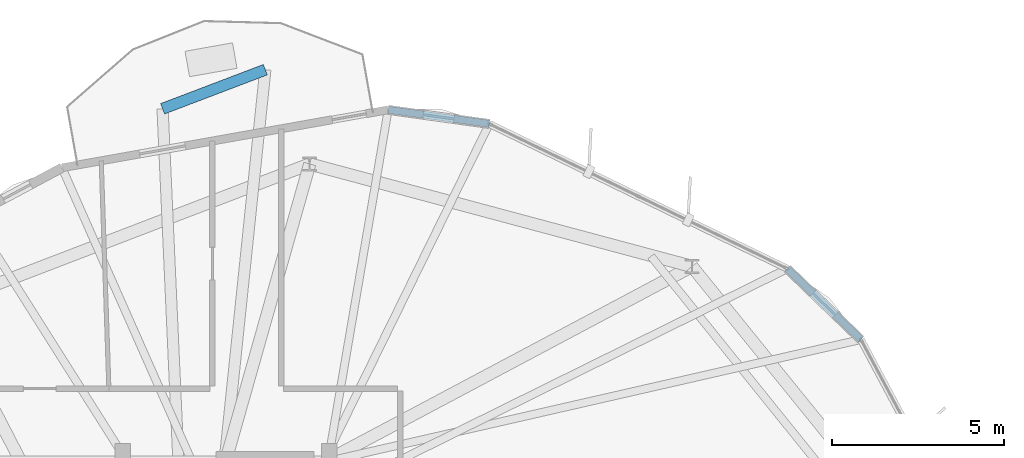
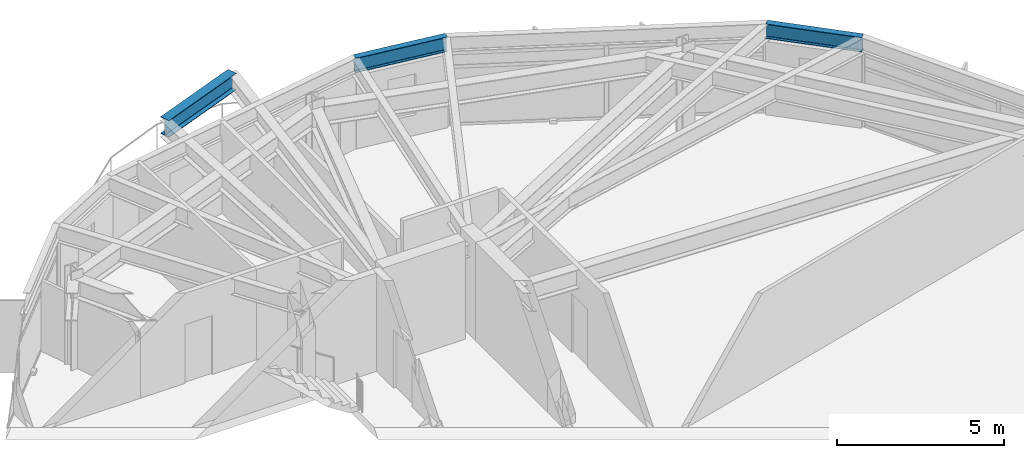
# One storey, part 20 of 28: 3 beams.
"""IFC4 building model written with IfcOpenShell, lengths in metres."""

from ifc_helpers import new_model, si_unit, direction, frame, origin, origin_2d, place, context, subcontext, project, spatial, i_section, extrude, material, material_profile, profile_set, type_object, element, save


model = new_model("IFC4")

# Units and contexts
model_context = context("Model", 3, precision=1e-05, world=origin(), true_north=direction((0.0, 1.0)))
body_context = subcontext(model_context, "Body", "Model", "MODEL_VIEW")
ifc_project = project(units=[si_unit("LENGTHUNIT", "METRE"), si_unit("AREAUNIT", "SQUARE_METRE"), si_unit("VOLUMEUNIT", "CUBIC_METRE"), si_unit("PLANEANGLEUNIT", "RADIAN"), si_unit("MASSUNIT", "GRAM", prefix="KILO")], contexts=[model_context])

# Site, building, storey
site_placement = place(None, origin())
site = spatial("IfcSite", under=ifc_project, at=site_placement, CompositionType="ELEMENT")
building_placement = place(site_placement, origin())
building = spatial("IfcBuilding", under=site, at=building_placement, Name="Soratama Intermodal Tower", CompositionType="ELEMENT")
storey_placement = place(building_placement, frame((0.0, 0.0, 205.0)))
storey = spatial("IfcBuildingStorey", under=building, at=storey_placement, Name="L51", CompositionType="ELEMENT", Elevation=205.0)

# Beams
ifc_material_1 = material(Name="Structural steel ASTM A992 Grade 50", Category="steel")
ifc_material_profile_1 = material_profile(ifc_material_1, i_section(OverallWidth=0.324951171875, OverallDepth=0.615966796875, WebThickness=0.013916015625, FlangeThickness=0.021484375, FilletRadius=0.013916015625, at=origin_2d()), Name="W24X117")
ifc_profile_set_1 = profile_set([ifc_material_profile_1], Name="Structural steel ASTM A992 Grade 50")
beam_type_1 = type_object("IfcBeamType", Name="BM-CANT-W24X117", PredefinedType="BEAM", material=ifc_profile_set_1)
beam_1_placement = place(storey_placement, frame((42.738037109375, 46.31396484375, 2.991943359375), z_axis=(-0.934651061996, -0.355566298051, 0.0), x_axis=(0.355566298051, -0.934651061996, 0.0)))
element("IfcBeam", 1, at=beam_1_placement, inside=storey, type_object=beam_type_1, Name="BM-L51-CBHDR-2", PredefinedType="BEAM", context=body_context, shape_type="SweptSolid", body=[
    extrude(i_section(OverallWidth=0.324951171875, OverallDepth=0.615966796875, WebThickness=0.013916015625, FlangeThickness=0.021484375, FilletRadius=0.013916015625, at=origin_2d()), origin(), (0.0, 0.0, 1.0), 3.19482421875),
])
ifc_material_2 = material(Name="Structural steel ASTM A992 Grade 50", Category="steel")
ifc_material_profile_2 = material_profile(ifc_material_2, i_section(OverallWidth=0.2099609375, OverallDepth=0.537109375, WebThickness=0.010986328125, FlangeThickness=0.017333984375, FilletRadius=0.012939453125, at=origin_2d()), Name="W21X68")
ifc_profile_set_2 = profile_set([ifc_material_profile_2], Name="Structural steel ASTM A992 Grade 50")
beam_type_2 = type_object("IfcBeamType", Name="BM-SPN-W21X68", PredefinedType="SPANDREL", material=ifc_profile_set_2)
beam_2_placement = place(storey_placement, frame((49.243896484375, 44.740966796875, 3.031494140625), z_axis=(-0.990451732233, 0.137859951096, 0.0), x_axis=(-0.137859951096, -0.990451732233, 0.0)))
element("IfcBeam", 2, at=beam_2_placement, inside=storey, type_object=beam_type_2, Name="BS-L51-CRN01", PredefinedType="SPANDREL", context=body_context, shape_type="SweptSolid", body=[
    extrude(i_section(OverallWidth=0.2099609375, OverallDepth=0.537109375, WebThickness=0.010986328125, FlangeThickness=0.017333984375, FilletRadius=0.012939453125, at=origin_2d()), origin(), (0.0, 0.0, 1.0), 2.96630859375),
])
beam_3_placement = place(storey_placement, frame((60.037109375, 38.47607421875, 3.031494140625), z_axis=(-0.720352190973, 0.693608478149, 0.0), x_axis=(-0.693608478149, -0.720352190973, 0.0)))
element("IfcBeam", 3, at=beam_3_placement, inside=storey, type_object=beam_type_2, Name="BS-L51-CRN10", PredefinedType="SPANDREL", context=body_context, shape_type="SweptSolid", body=[
    extrude(i_section(OverallWidth=0.2099609375, OverallDepth=0.537109375, WebThickness=0.010986328125, FlangeThickness=0.017333984375, FilletRadius=0.012939453125, at=origin_2d()), origin(), (0.0, 0.0, 1.0), 2.966796875),
])

save(model, "model.ifc")
